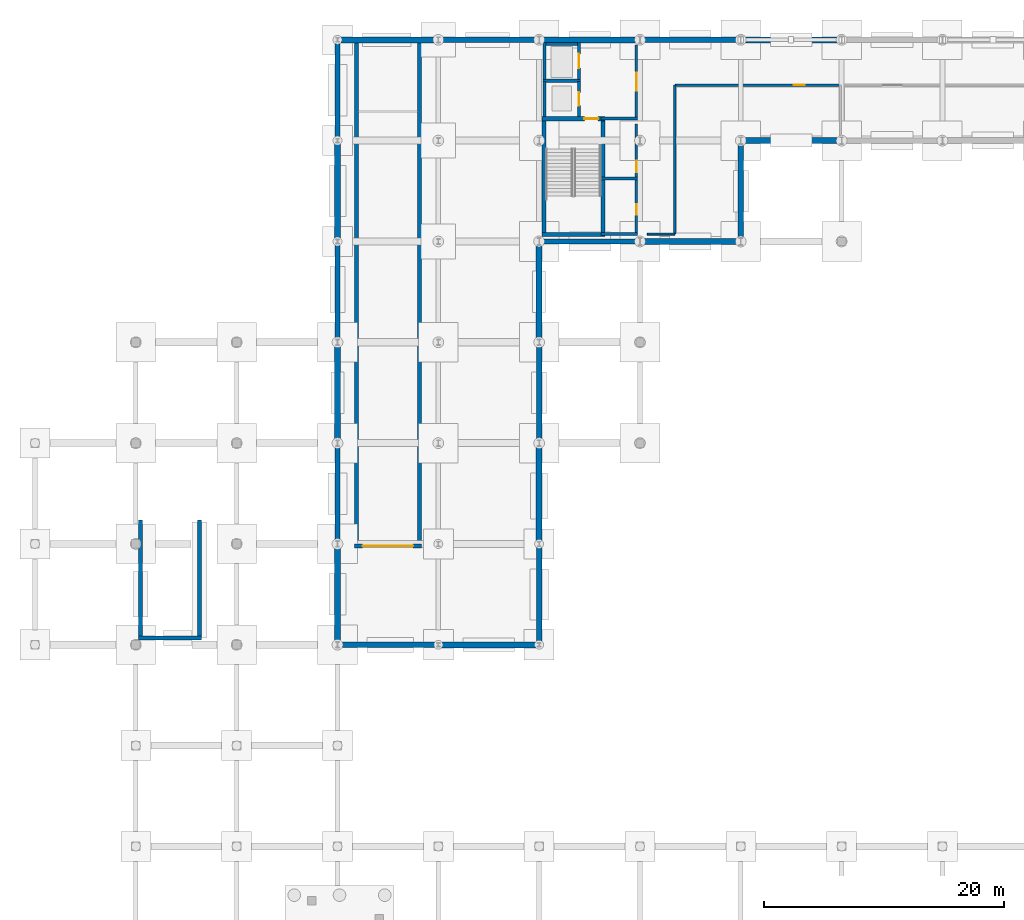
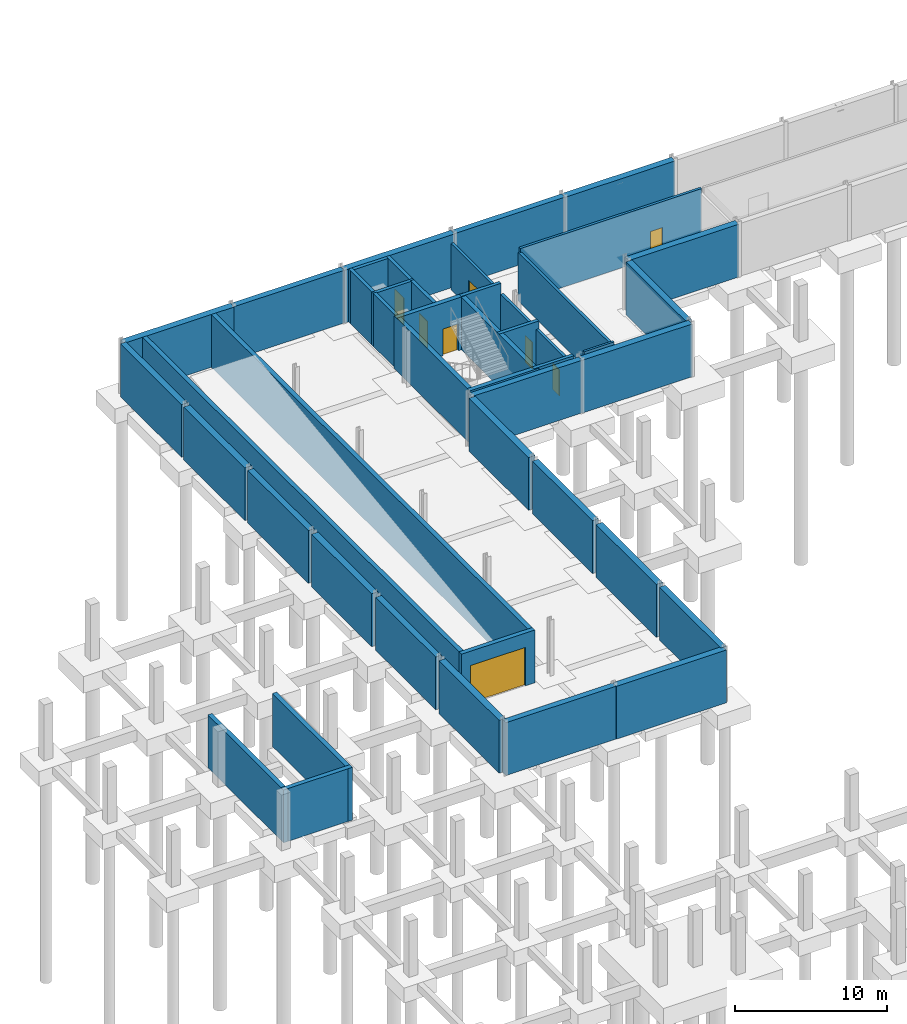
# One storey, part 28 of 43: 46 walls, 8 doors, 8 openings.
"""IFC4 building model written with IfcOpenShell, lengths in metres."""

from ifc_helpers import new_model, si_unit, direction, frame, frame_2d, origin, place, context, subcontext, project, spatial, rectangle, extrude, material, layer, layer_set, type_object, element, fill, save


model = new_model("IFC4")

# Units and contexts
model_context = context("Model", 3, precision=1e-05, world=origin(), true_north=direction((0.0, 1.0)))
body_context = subcontext(model_context, "Body", "Model", "MODEL_VIEW")
ifc_project = project(units=[si_unit("LENGTHUNIT", "METRE"), si_unit("AREAUNIT", "SQUARE_METRE"), si_unit("VOLUMEUNIT", "CUBIC_METRE"), si_unit("PLANEANGLEUNIT", "RADIAN"), si_unit("MASSUNIT", "GRAM", prefix="KILO")], contexts=[model_context])

# Site, building, storey
site_placement = place(None, origin())
site = spatial("IfcSite", under=ifc_project, at=site_placement, CompositionType="ELEMENT")
building_placement = place(site_placement, origin())
building = spatial("IfcBuilding", under=site, at=building_placement, Name="Mersafa Astral City Hall", CompositionType="ELEMENT")
storey_placement = place(building_placement, frame((0.0, 0.0, -4.5)))
storey = spatial("IfcBuildingStorey", under=building, at=storey_placement, Name="B1", CompositionType="ELEMENT", Elevation=-4.5)

# Walls
ifc_material_1 = material(Name="Concrete C40/50", Category="concrete")
ifc_layer_1 = layer(ifc_material_1, 0.449951171875, Name="Concrete C40/50")
ifc_layer_set_1 = layer_set([ifc_layer_1], Name="Concrete C40/50 — ENV-WAL-RET-450")
wall_type_1 = type_object("IfcWallType", Name="ENV-WAL-RET-450", PredefinedType="USERDEFINED", material=ifc_layer_set_1)
for number, where, z_axis, x_axis, name in (
    (1, (58.7919921875, 126.0, 0.0), (0.0, 0.0, 1.0), (-1.0, 0.0, 0.0), "B1 Perimeter retaining wall 53"),
    (2, (41.991943359375, 126.0, 0.0), (0.0, 0.0, 1.0), (-1.0, 0.0, 0.0), "B1 Perimeter retaining wall 55"),
):
    element("IfcWall", number, at=place(storey_placement, frame(where, z_axis=z_axis, x_axis=x_axis)), inside=storey, type_object=wall_type_1, Name=name, ObjectType="RETAININGWALL", PredefinedType="USERDEFINED", context=body_context, shape_type="SweptSolid", body=[
        extrude(rectangle(XDim=8.384033203125, YDim=0.449951171875, at=frame_2d((4.19189453125, 0.0))), origin(), (0.0, 0.0, 1.0), 4.25),
    ])
wall_1_placement = place(storey_placement, frame((25.199951171875, 125.8349609375, 0.0), z_axis=(0.0, 0.0, 1.0), x_axis=(0.0, -1.0, 0.0)))
element("IfcWall", 3, at=wall_1_placement, inside=storey, type_object=wall_type_1, Name="B1 Perimeter retaining wall 57", ObjectType="RETAININGWALL", PredefinedType="USERDEFINED", context=body_context, shape_type="SweptSolid", body=[
    extrude(rectangle(XDim=8.080078125, YDim=0.449951171875, at=frame_2d((4.0400390625, 0.0))), origin(), (0.0, 0.0, 1.0), 4.25),
])
wall_2_placement = place(storey_placement, frame((25.199951171875, 109.034912109375, 0.0), z_axis=(0.0, 0.0, 1.0), x_axis=(0.0, -1.0, 0.0)))
element("IfcWall", 4, at=wall_2_placement, inside=storey, type_object=wall_type_1, Name="B1 Perimeter retaining wall 59", ObjectType="RETAININGWALL", PredefinedType="USERDEFINED", context=body_context, shape_type="SweptSolid", body=[
    extrude(rectangle(XDim=8.0, YDim=0.449951171875, at=frame_2d((4.0, 0.0))), origin(), (0.0, 0.0, 1.0), 4.25),
])
wall_3_placement = place(storey_placement, frame((25.199951171875, 92.1650390625, 0.0), z_axis=(0.0, 0.0, 1.0), x_axis=(0.0, -1.0, 0.0)))
element("IfcWall", 5, at=wall_3_placement, inside=storey, type_object=wall_type_1, Name="B1 Perimeter retaining wall 61", ObjectType="RETAININGWALL", PredefinedType="USERDEFINED", context=body_context, shape_type="SweptSolid", body=[
    extrude(rectangle(XDim=7.929931640625, YDim=0.449951171875, at=frame_2d((3.96484375, 0.0))), origin(), (0.0, 0.0, 1.0), 4.25),
])
wall_4_placement = place(storey_placement, frame((25.2080078125, 75.60009765625, 0.0), z_axis=(0.0, 0.0, 1.0), x_axis=(1.0, 0.0, 0.0)))
element("IfcWall", 6, at=wall_4_placement, inside=storey, type_object=wall_type_1, Name="B1 Perimeter retaining wall 63", ObjectType="RETAININGWALL", PredefinedType="USERDEFINED", context=body_context, shape_type="SweptSolid", body=[
    extrude(rectangle(XDim=8.384033203125, YDim=0.449951171875, at=frame_2d((4.19189453125, 0.0))), origin(), (0.0, 0.0, 1.0), 4.25),
])
wall_5_placement = place(storey_placement, frame((42.0, 75.735107421875, 0.0), z_axis=(0.0, 0.0, 1.0), x_axis=(0.0, 1.0, 0.0)))
element("IfcWall", 7, at=wall_5_placement, inside=storey, type_object=wall_type_1, Name="B1 Perimeter retaining wall 65", ObjectType="RETAININGWALL", PredefinedType="USERDEFINED", context=body_context, shape_type="SweptSolid", body=[
    extrude(rectangle(XDim=8.079833984375, YDim=0.449951171875, at=frame_2d((4.0400390625, 0.0))), origin(), (0.0, 0.0, 1.0), 4.25),
])
wall_6_placement = place(storey_placement, frame((42.0, 92.635009765625, 0.0), z_axis=(0.0, 0.0, 1.0), x_axis=(0.0, 1.0, 0.0)))
element("IfcWall", 8, at=wall_6_placement, inside=storey, type_object=wall_type_1, Name="B1 Perimeter retaining wall 67", ObjectType="RETAININGWALL", PredefinedType="USERDEFINED", context=body_context, shape_type="SweptSolid", body=[
    extrude(rectangle(XDim=7.929931640625, YDim=0.449951171875, at=frame_2d((3.96484375, 0.0))), origin(), (0.0, 0.0, 1.0), 4.25),
])
wall_7_placement = place(storey_placement, frame((42.008056640625, 109.199951171875, 0.0), z_axis=(0.0, 0.0, 1.0), x_axis=(1.0, 0.0, 0.0)))
element("IfcWall", 9, at=wall_7_placement, inside=storey, type_object=wall_type_1, Name="B1 Perimeter retaining wall 69", ObjectType="RETAININGWALL", PredefinedType="USERDEFINED", context=body_context, shape_type="SweptSolid", body=[
    extrude(rectangle(XDim=8.384033203125, YDim=0.449951171875, at=frame_2d((4.19189453125, 0.0))), origin(), (0.0, 0.0, 1.0), 4.25),
])
wall_8_placement = place(storey_placement, frame((58.800048828125, 109.485107421875, 0.0), z_axis=(0.0, 0.0, 1.0), x_axis=(0.0, 1.0, 0.0)))
element("IfcWall", 10, at=wall_8_placement, inside=storey, type_object=wall_type_1, Name="B1 Perimeter retaining wall 71", ObjectType="RETAININGWALL", PredefinedType="USERDEFINED", context=body_context, shape_type="SweptSolid", body=[
    extrude(rectangle(XDim=7.829833984375, YDim=0.449951171875, at=frame_2d((3.9150390625, 0.0))), origin(), (0.0, 0.0, 1.0), 4.25),
])
ifc_layer_2 = layer(ifc_material_1, 0.5, Name="Concrete C40/50")
ifc_layer_set_2 = layer_set([ifc_layer_2], Name="Concrete C40/50 — ENV-WAL-RET-500")
wall_type_2 = type_object("IfcWallType", Name="ENV-WAL-RET-500", PredefinedType="USERDEFINED", material=ifc_layer_set_2)
wall_9_placement = place(storey_placement, frame((67.19189453125, 126.0, 0.0), z_axis=(0.0, 0.0, 1.0), x_axis=(-1.0, 0.0, 0.0)))
element("IfcWall", 11, at=wall_9_placement, inside=storey, type_object=wall_type_2, Name="B1 Perimeter retaining wall 52", ObjectType="RETAININGWALL", PredefinedType="USERDEFINED", context=body_context, shape_type="SweptSolid", body=[
    extrude(rectangle(XDim=8.3837890625, YDim=0.5, at=frame_2d((4.19189453125, 0.0))), origin(), (0.0, 0.0, 1.0), 4.25),
])
wall_10_placement = place(storey_placement, frame((25.199951171875, 117.445068359375, 0.0), z_axis=(0.0, 0.0, 1.0), x_axis=(0.0, -1.0, 0.0)))
element("IfcWall", 12, at=wall_10_placement, inside=storey, type_object=wall_type_2, Name="B1 Perimeter retaining wall 58", ObjectType="RETAININGWALL", PredefinedType="USERDEFINED", context=body_context, shape_type="SweptSolid", body=[
    extrude(rectangle(XDim=8.080078125, YDim=0.5, at=frame_2d((4.0400390625, 0.0))), origin(), (0.0, 0.0, 1.0), 4.25),
])
for number, where, z_axis, x_axis, name in (
    (13, (25.199951171875, 100.56494140625, 0.0), (0.0, 0.0, 1.0), (0.0, -1.0, 0.0), "B1 Perimeter retaining wall 60"),
    (14, (25.199951171875, 83.764892578125, 0.0), (0.0, 0.0, 1.0), (0.0, -1.0, 0.0), "B1 Perimeter retaining wall 62"),
):
    element("IfcWall", number, at=place(storey_placement, frame(where, z_axis=z_axis, x_axis=x_axis)), inside=storey, type_object=wall_type_2, Name=name, ObjectType="RETAININGWALL", PredefinedType="USERDEFINED", context=body_context, shape_type="SweptSolid", body=[
        extrude(rectangle(XDim=7.929931640625, YDim=0.5, at=frame_2d((3.96484375, 0.0))), origin(), (0.0, 0.0, 1.0), 4.25),
    ])
wall_11_placement = place(storey_placement, frame((33.60791015625, 75.60009765625, 0.0), z_axis=(0.0, 0.0, 1.0), x_axis=(1.0, 0.0, 0.0)))
element("IfcWall", 15, at=wall_11_placement, inside=storey, type_object=wall_type_2, Name="B1 Perimeter retaining wall 64", ObjectType="RETAININGWALL", PredefinedType="USERDEFINED", context=body_context, shape_type="SweptSolid", body=[
    extrude(rectangle(XDim=8.384033203125, YDim=0.5, at=frame_2d((4.19189453125, 0.0))), origin(), (0.0, 0.0, 1.0), 4.25),
])
wall_12_placement = place(storey_placement, frame((42.0, 84.18505859375, 0.0), z_axis=(0.0, 0.0, 1.0), x_axis=(0.0, 1.0, 0.0)))
element("IfcWall", 16, at=wall_12_placement, inside=storey, type_object=wall_type_2, Name="B1 Perimeter retaining wall 66", ObjectType="RETAININGWALL", PredefinedType="USERDEFINED", context=body_context, shape_type="SweptSolid", body=[
    extrude(rectangle(XDim=7.97998046875, YDim=0.5, at=frame_2d((3.989990234375, 0.0))), origin(), (0.0, 0.0, 1.0), 4.25),
])
wall_13_placement = place(storey_placement, frame((42.0, 101.034912109375, 0.0), z_axis=(0.0, 0.0, 1.0), x_axis=(0.0, 1.0, 0.0)))
element("IfcWall", 17, at=wall_13_placement, inside=storey, type_object=wall_type_2, Name="B1 Perimeter retaining wall 68", ObjectType="RETAININGWALL", PredefinedType="USERDEFINED", context=body_context, shape_type="SweptSolid", body=[
    extrude(rectangle(XDim=7.880126953125, YDim=0.5, at=frame_2d((3.93994140625, 0.0))), origin(), (0.0, 0.0, 1.0), 4.25),
])
wall_14_placement = place(storey_placement, frame((50.407958984375, 109.199951171875, 0.0), z_axis=(0.0, 0.0, 1.0), x_axis=(1.0, 0.0, 0.0)))
element("IfcWall", 18, at=wall_14_placement, inside=storey, type_object=wall_type_2, Name="B1 Perimeter retaining wall 70", ObjectType="RETAININGWALL", PredefinedType="USERDEFINED", context=body_context, shape_type="SweptSolid", body=[
    extrude(rectangle(XDim=8.384033203125, YDim=0.5, at=frame_2d((4.19189453125, 0.0))), origin(), (0.0, 0.0, 1.0), 4.25),
])
wall_15_placement = place(storey_placement, frame((58.80810546875, 117.60009765625, 0.0), z_axis=(0.0, 0.0, 1.0), x_axis=(1.0, 0.0, 0.0)))
element("IfcWall", 19, at=wall_15_placement, inside=storey, type_object=wall_type_2, Name="B1 Perimeter retaining wall 72", ObjectType="RETAININGWALL", PredefinedType="USERDEFINED", context=body_context, shape_type="SweptSolid", body=[
    extrude(rectangle(XDim=8.3837890625, YDim=0.5, at=frame_2d((4.19189453125, 0.0))), origin(), (0.0, 0.0, 1.0), 4.25),
])
for number, where, z_axis, x_axis, name in (
    (20, (50.39208984375, 126.0, 0.0), (0.0, 0.0, 1.0), (-1.0, 0.0, 0.0), "B1 Perimeter retaining wall 54"),
    (21, (33.592041015625, 126.0, 0.0), (0.0, 0.0, 1.0), (-1.0, 0.0, 0.0), "B1 Perimeter retaining wall 56"),
):
    element("IfcWall", number, at=place(storey_placement, frame(where, z_axis=z_axis, x_axis=x_axis)), inside=storey, type_object=wall_type_2, Name=name, ObjectType="RETAININGWALL", PredefinedType="USERDEFINED", context=body_context, shape_type="SweptSolid", body=[
        extrude(rectangle(XDim=8.384033203125, YDim=0.5, at=frame_2d((4.19189453125, 0.0))), origin(), (0.0, 0.0, 1.0), 4.25),
    ])
ifc_layer_3 = layer(ifc_material_1, 0.260009765625, Name="Concrete C40/50")
ifc_layer_set_3 = layer_set([ifc_layer_3], Name="Concrete C40/50 — INT-WAL-CORE-260")
wall_type_3 = type_object("IfcWallType", Name="INT-WAL-CORE-260", PredefinedType="SHEAR", material=ifc_layer_set_3)
wall_16_placement = place(storey_placement, frame((42.31494140625, 122.5849609375, 0.0), z_axis=(0.0, 0.0, 1.0), x_axis=(1.0, 0.0, 0.0)))
element("IfcWall", 22, at=wall_16_placement, inside=storey, type_object=wall_type_3, Name="B1 Lift LF5 north shaft wall", PredefinedType="SHEAR", context=body_context, shape_type="SweptSolid", body=[
    extrude(rectangle(XDim=3.130126953125, YDim=0.260009765625, at=frame_2d((1.56494140625, 0.0))), origin(), (0.0, 0.0, 1.0), 4.25),
])
wall_17_placement = place(storey_placement, frame((42.445068359375, 119.596923828125, 0.0), z_axis=(0.0, 0.0, 1.0), x_axis=(0.0, 1.0, 0.0)))
element("IfcWall", 23, at=wall_17_placement, inside=storey, type_object=wall_type_3, Name="B1 Lift LF5 back shaft wall", PredefinedType="SHEAR", context=body_context, shape_type="SweptSolid", body=[
    extrude(rectangle(XDim=2.947998046875, YDim=0.260009765625, at=frame_2d((1.47412109375, 0.0))), origin(), (0.0, 0.0, 1.0), 4.25),
])

# Wall, opening, door
wall_18_placement = place(storey_placement, frame((45.31494140625, 119.596923828125, 0.0), z_axis=(0.0, 0.0, 1.0), x_axis=(0.0, 1.0, 0.0)))
wall_18 = element("IfcWall", 24, at=wall_18_placement, inside=storey, type_object=wall_type_3, Name="B1 Lift LF5 front shaft wall", PredefinedType="SHEAR", context=body_context, shape_type="SweptSolid", body=[
    extrude(rectangle(XDim=2.947998046875, YDim=0.260009765625, at=frame_2d((1.47412109375, 0.0))), origin(), (0.0, 0.0, 1.0), 4.25),
])
opening_1_placement = place(wall_18_placement, frame((0.924072265625, 0.0, 0.0)))
opening_1 = element("IfcOpeningElement", 25, at=opening_1_placement, cuts=wall_18, Name="Opening LD-1", PredefinedType="OPENING", context=body_context, shape_type="SweptSolid", body=[
    extrude(rectangle(XDim=1.10009765625, YDim=2.14990234375, at=frame_2d((0.550048828125, 1.074951171875))), frame((0.0, 0.139892578125, 0.0), z_axis=(0.0, -1.0, 0.0), x_axis=(1.0, 0.0, 0.0)), (0.0, 0.0, 1.0), 0.280029296875),
])
ifc_material_2 = material(Name="Stainless steel sliding lift landing door", Category="steel")
door_type_1 = type_object("IfcDoorType", Name="INT-DR-LIFT-LD1", OperationType="NOTDEFINED", PredefinedType="DOOR", material=ifc_material_2)
door_1_placement = place(opening_1_placement, origin())
door_1 = element("IfcDoor", 26, at=door_1_placement, inside=storey, type_object=door_type_1, Name="Elevator LF5 Sliding Landing Door B1", OperationType="DOUBLE_DOOR_SLIDING", OverallHeight=2.14990234375, OverallWidth=1.10009765625, PredefinedType="DOOR", context=body_context, shape_type="SweptSolid", body=[
    extrude(rectangle(XDim=1.10009765625, YDim=2.14990234375, at=frame_2d((0.550048828125, 1.074951171875))), frame((0.0, 0.02490234375, 0.0), z_axis=(0.0, -1.0, 0.0), x_axis=(1.0, 0.0, 0.0)), (0.0, 0.0, 1.0), 0.050048828125),
])
fill(opening_1, door_1)

# Walls
wall_19_placement = place(storey_placement, frame((42.31494140625, 125.635009765625, 0.0), z_axis=(0.0, 0.0, 1.0), x_axis=(1.0, 0.0, 0.0)))
element("IfcWall", 27, at=wall_19_placement, inside=storey, type_object=wall_type_3, Name="B1 Lift LF9 north shaft wall", PredefinedType="SHEAR", context=body_context, shape_type="SweptSolid", body=[
    extrude(rectangle(XDim=3.130126953125, YDim=0.260009765625, at=frame_2d((1.56494140625, 0.0))), origin(), (0.0, 0.0, 1.0), 4.25),
])
wall_20_placement = place(storey_placement, frame((42.445068359375, 122.705078125, 0.0), z_axis=(0.0, 0.0, 1.0), x_axis=(0.0, 1.0, 0.0)))
element("IfcWall", 28, at=wall_20_placement, inside=storey, type_object=wall_type_3, Name="B1 Lift LF9 back shaft wall", PredefinedType="SHEAR", context=body_context, shape_type="SweptSolid", body=[
    extrude(rectangle(XDim=3.059814453125, YDim=0.260009765625, at=frame_2d((1.52978515625, 0.0))), origin(), (0.0, 0.0, 1.0), 4.25),
])

# Wall, opening, door
wall_21_placement = place(storey_placement, frame((45.31494140625, 122.705078125, 0.0), z_axis=(0.0, 0.0, 1.0), x_axis=(0.0, 1.0, 0.0)))
wall_21 = element("IfcWall", 29, at=wall_21_placement, inside=storey, type_object=wall_type_3, Name="B1 Lift LF9 front shaft wall", PredefinedType="SHEAR", context=body_context, shape_type="SweptSolid", body=[
    extrude(rectangle(XDim=3.059814453125, YDim=0.260009765625, at=frame_2d((1.52978515625, 0.0))), origin(), (0.0, 0.0, 1.0), 4.25),
])
opening_2_placement = place(wall_21_placement, frame((0.929931640625, 0.0, 0.0)))
opening_2 = element("IfcOpeningElement", 30, at=opening_2_placement, cuts=wall_21, Name="Opening LD-2", PredefinedType="OPENING", context=body_context, shape_type="SweptSolid", body=[
    extrude(rectangle(XDim=1.199951171875, YDim=2.14990234375, at=frame_2d((0.60009765625, 1.074951171875))), frame((0.0, 0.139892578125, 0.0), z_axis=(0.0, -1.0, 0.0), x_axis=(1.0, 0.0, 0.0)), (0.0, 0.0, 1.0), 0.280029296875),
])
ifc_material_3 = material(Name="Heavy-duty sliding goods lift landing door", Category="metal")
door_type_2 = type_object("IfcDoorType", Name="INT-DR-LIFT-LD2", OperationType="NOTDEFINED", PredefinedType="DOOR", material=ifc_material_3)
door_2_placement = place(opening_2_placement, origin())
door_2 = element("IfcDoor", 31, at=door_2_placement, inside=storey, type_object=door_type_2, Name="Elevator LF9 Sliding Landing Door B1", OperationType="DOUBLE_DOOR_SLIDING", OverallHeight=2.14990234375, OverallWidth=1.199951171875, PredefinedType="DOOR", context=body_context, shape_type="SweptSolid", body=[
    extrude(rectangle(XDim=1.199951171875, YDim=2.14990234375, at=frame_2d((0.60009765625, 1.074951171875))), frame((0.0, 0.02490234375, 0.0), z_axis=(0.0, -1.0, 0.0), x_axis=(1.0, 0.0, 0.0)), (0.0, 0.0, 1.0), 0.050048828125),
])
fill(opening_2, door_2)

# Walls
for number, where, z_axis, x_axis, name in (
    (32, (47.1650390625, 109.820068359375, 0.0), (0.0, 0.0, 1.0), (1.0, 0.0, 0.0), "B1 Core K3 riser south wall"),
    (33, (47.1650390625, 114.43505859375, 0.0), (0.0, 0.0, 1.0), (1.0, 0.0, 0.0), "B1 Core K3 riser-restroom divider wall"),
    (34, (47.1650390625, 119.43505859375, 0.0), (0.0, 0.0, 1.0), (1.0, 0.0, 0.0), "B1 Core K3 restroom-lobby divider wall"),
):
    element("IfcWall", number, at=place(storey_placement, frame(where, z_axis=z_axis, x_axis=x_axis)), inside=storey, type_object=wall_type_3, Name=name, PredefinedType="SHEAR", context=body_context, shape_type="SweptSolid", body=[
        extrude(rectangle(XDim=3.034912109375, YDim=0.260009765625, at=frame_2d((1.517578125, 0.0))), origin(), (0.0, 0.0, 1.0), 4.25),
    ])
ifc_layer_4 = layer(ifc_material_1, 0.340087890625, Name="Concrete C40/50")
ifc_layer_set_4 = layer_set([ifc_layer_4], Name="Concrete C40/50 — INT-WAL-CORE-340")
wall_type_4 = type_object("IfcWallType", Name="INT-WAL-CORE-340", PredefinedType="SHEAR", material=ifc_layer_set_4)
for number, where, z_axis, x_axis, name in (
    (35, (42.405029296875, 109.60498046875, 0.0), (0.0, 0.0, 1.0), (0.0, 1.0, 0.0), "B1 Core K3 stair west shear wall"),
    (36, (47.31494140625, 109.60498046875, 0.0), (0.0, 0.0, 1.0), (0.0, 1.0, 0.0), "B1 Core K3 stair east shear wall"),
):
    element("IfcWall", number, at=place(storey_placement, frame(where, z_axis=z_axis, x_axis=x_axis)), inside=storey, type_object=wall_type_4, Name=name, PredefinedType="SHEAR", context=body_context, shape_type="SweptSolid", body=[
        extrude(rectangle(XDim=9.989990234375, YDim=0.340087890625, at=frame_2d((4.9951171875, 0.0))), origin(), (0.0, 0.0, 1.0), 4.25),
    ])
wall_22_placement = place(storey_placement, frame((42.235107421875, 109.77490234375, 0.0), z_axis=(0.0, 0.0, 1.0), x_axis=(1.0, 0.0, 0.0)))
element("IfcWall", 37, at=wall_22_placement, inside=storey, type_object=wall_type_4, Name="B1 Core K3 stair south shear wall", PredefinedType="SHEAR", context=body_context, shape_type="SweptSolid", body=[
    extrude(rectangle(XDim=5.25, YDim=0.340087890625, at=frame_2d((2.625, 0.0))), origin(), (0.0, 0.0, 1.0), 4.25),
])

# Wall, opening, door
wall_23_placement = place(storey_placement, frame((42.235107421875, 119.425048828125, 0.0), z_axis=(0.0, 0.0, 1.0), x_axis=(1.0, 0.0, 0.0)))
wall_23 = element("IfcWall", 38, at=wall_23_placement, inside=storey, type_object=wall_type_4, Name="B1 Core K3 stair-lobby fire wall", PredefinedType="SHEAR", context=body_context, shape_type="SweptSolid", body=[
    extrude(rectangle(XDim=5.25, YDim=0.340087890625, at=frame_2d((2.625, 0.0))), origin(), (0.0, 0.0, 1.0), 4.25),
])
opening_3_placement = place(wall_23_placement, frame((3.534912109375, 0.0, 0.0)))
opening_3 = element("IfcOpeningElement", 39, at=opening_3_placement, cuts=wall_23, Name="Opening CD-1", PredefinedType="OPENING", context=body_context, shape_type="SweptSolid", body=[
    extrude(rectangle(XDim=1.14990234375, YDim=2.14990234375, at=frame_2d((0.574951171875, 1.074951171875))), frame((0.0, 0.179931640625, 0.0), z_axis=(0.0, -1.0, 0.0), x_axis=(1.0, 0.0, 0.0)), (0.0, 0.0, 1.0), 0.360107421875),
])
ifc_material_4 = material(Name="Fire-rated steel stair door", Category="steel")
door_type_3 = type_object("IfcDoorType", Name="INT-DR-STAIR-FD90-1150", OperationType="NOTDEFINED", PredefinedType="DOOR", material=ifc_material_4)
door_3_placement = place(opening_3_placement, origin())
door_3 = element("IfcDoor", 40, at=door_3_placement, inside=storey, type_object=door_type_3, Name="B1 Protected Stair ST3 Door", OperationType="SINGLE_SWING_LEFT", OverallHeight=2.14990234375, OverallWidth=1.14990234375, PredefinedType="DOOR", context=body_context, shape_type="SweptSolid", body=[
    extrude(rectangle(XDim=1.14990234375, YDim=2.14990234375, at=frame_2d((0.574951171875, 1.074951171875))), frame((0.0, 0.02490234375, 0.0), z_axis=(0.0, -1.0, 0.0), x_axis=(1.0, 0.0, 0.0)), (0.0, 0.0, 1.0), 0.050048828125),
])
fill(opening_3, door_3)

# Walls
wall_24_placement = place(storey_placement, frame((8.635009765625, 76.175048828125, 0.0), z_axis=(0.0, 0.0, 1.0), x_axis=(1.0, 0.0, 0.0)))
element("IfcWall", 41, at=wall_24_placement, inside=storey, type_object=wall_type_4, Name="B1 Stair shaft K6 foundation shear wall S", PredefinedType="SHEAR", context=body_context, shape_type="SweptSolid", body=[
    extrude(rectangle(XDim=5.25, YDim=0.340087890625, at=frame_2d((2.625, 0.0))), origin(), (0.0, 0.0, 1.0), 4.25),
])
for number, where, z_axis, x_axis, name in (
    (42, (13.715087890625, 76.0048828125, 0.0), (0.0, 0.0, 1.0), (0.0, 1.0, 0.0), "B1 Stair shaft K6 foundation shear wall E"),
    (43, (8.804931640625, 76.0048828125, 0.0), (0.0, 0.0, 1.0), (0.0, 1.0, 0.0), "B1 Stair shaft K6 foundation shear wall W"),
):
    element("IfcWall", number, at=place(storey_placement, frame(where, z_axis=z_axis, x_axis=x_axis)), inside=storey, type_object=wall_type_4, Name=name, PredefinedType="SHEAR", context=body_context, shape_type="SweptSolid", body=[
        extrude(rectangle(XDim=9.990234375, YDim=0.340087890625, at=frame_2d((4.9951171875, 0.0))), origin(), (0.0, 0.0, 1.0), 4.25),
    ])
for number, where, z_axis, x_axis, name in (
    (44, (26.77490234375, 83.659912109375, 0.0), (0.0, 0.0, 1.0), (0.0, 1.0, 0.0), "B1 Service ramp W enclosure shear wall"),
    (45, (32.02490234375, 83.659912109375, 0.0), (0.0, 0.0, 1.0), (0.0, 1.0, 0.0), "B1 Service ramp E enclosure shear wall"),
):
    element("IfcWall", number, at=place(storey_placement, frame(where, z_axis=z_axis, x_axis=x_axis)), inside=storey, type_object=wall_type_4, Name=name, PredefinedType="SHEAR", context=body_context, shape_type="SweptSolid", body=[
        extrude(rectangle(XDim=42.190185546875, YDim=0.340087890625, at=frame_2d((21.09521484375, 0.0))), origin(), (0.0, 0.0, 1.0), 4.25),
    ])

# Wall, opening, door
wall_25_placement = place(storey_placement, frame((26.60498046875, 83.830078125, 0.0), z_axis=(0.0, 0.0, 1.0), x_axis=(1.0, 0.0, 0.0)))
wall_25 = element("IfcWall", 46, at=wall_25_placement, inside=storey, type_object=wall_type_4, Name="B1 Service ramp arrival fire wall", PredefinedType="SHEAR", context=body_context, shape_type="SweptSolid", body=[
    extrude(rectangle(XDim=5.590087890625, YDim=0.340087890625, at=frame_2d((2.794921875, 0.0))), origin(), (0.0, 0.0, 1.0), 4.25),
])
opening_4_placement = place(wall_25_placement, frame((0.695068359375, 0.0, 0.0)))
opening_4 = element("IfcOpeningElement", 47, at=opening_4_placement, cuts=wall_25, Name="Opening SG-1", PredefinedType="OPENING", context=body_context, shape_type="SweptSolid", body=[
    extrude(rectangle(XDim=4.199951171875, YDim=3.10009765625, at=frame_2d((2.10009765625, 1.550048828125))), frame((0.0, 0.179931640625, 0.0), z_axis=(0.0, -1.0, 0.0), x_axis=(1.0, 0.0, 0.0)), (0.0, 0.0, 1.0), 0.360107421875),
])
ifc_material_5 = material(Name="Basement fire-rated steel vehicle roller gate", Category="steel")
door_type_4 = type_object("IfcDoorType", Name="INT-GATE-B1-VR1", OperationType="NOTDEFINED", PredefinedType="GATE", material=ifc_material_5)
door_4_placement = place(opening_4_placement, origin())
door_4 = element("IfcDoor", 48, at=door_4_placement, inside=storey, type_object=door_type_4, Name="B1 Service Ramp Fire-Rated Roller Gate", OperationType="ROLLINGUP", OverallHeight=3.10009765625, OverallWidth=4.199951171875, PredefinedType="GATE", context=body_context, shape_type="SweptSolid", body=[
    extrude(rectangle(XDim=4.199951171875, YDim=3.10009765625, at=frame_2d((2.10009765625, 1.550048828125))), frame((0.0, 0.02490234375, 0.0), z_axis=(0.0, -1.0, 0.0), x_axis=(1.0, 0.0, 0.0)), (0.0, 0.0, 1.0), 0.050048828125),
])
fill(opening_4, door_4)

# Wall
ifc_material_6 = material(Name="Fire-rated gypsum stud partition", Category="gypsum")
ifc_layer_5 = layer(ifc_material_6, 0.1650390625, Name="Fire-rated gypsum stud partition")
ifc_layer_set_5 = layer_set([ifc_layer_5], Name="Fire-rated gypsum stud partition — INT-WAL-PART-EI60-165")
wall_type_5 = type_object("IfcWallType", Name="INT-WAL-PART-EI60-165", PredefinedType="STANDARD", material=ifc_layer_set_5)
wall_26_placement = place(storey_placement, frame((51.02001953125, 109.820068359375, -0.00390625), z_axis=(0.0, 0.0, 1.0), x_axis=(1.0, 0.0, 0.0)))
element("IfcWall", 49, at=wall_26_placement, inside=storey, type_object=wall_type_5, Name="B1 Interior partition wall 55", PredefinedType="STANDARD", context=body_context, shape_type="SweptSolid", body=[
    extrude(rectangle(XDim=2.280029296875, YDim=0.1650390625, at=frame_2d((1.14013671875, 0.0))), origin(), (0.0, 0.0, 1.0), 4.25390625),
])

# Wall, opening, door
ifc_material_7 = material(Name="Acoustic twin-stud gypsum partition", Category="gypsum")
ifc_layer_6 = layer(ifc_material_7, 0.195068359375, Name="Acoustic twin-stud gypsum partition")
ifc_layer_set_6 = layer_set([ifc_layer_6], Name="Acoustic twin-stud gypsum partition — INT-WAL-PART-EI60-195")
wall_type_6 = type_object("IfcWallType", Name="INT-WAL-PART-EI60-195", PredefinedType="STANDARD", material=ifc_layer_set_6)
wall_27_placement = place(storey_placement, frame((53.300048828125, 122.219970703125, -0.00390625), z_axis=(0.0, 0.0, 1.0), x_axis=(1.0, 0.0, 0.0)))
wall_27 = element("IfcWall", 50, at=wall_27_placement, inside=storey, type_object=wall_type_6, Name="B1 Interior partition wall 57", PredefinedType="STANDARD", context=body_context, shape_type="SweptSolid", body=[
    extrude(rectangle(XDim=13.81005859375, YDim=0.195068359375, at=frame_2d((6.905029296875, 0.0))), origin(), (0.0, 0.0, 1.0), 4.25390625),
])
opening_5_placement = place(wall_27_placement, frame((9.8974609375, 0.0, 0.014892578125)))
opening_5 = element("IfcOpeningElement", 51, at=opening_5_placement, cuts=wall_27, Name="Opening D-10", PredefinedType="OPENING", context=body_context, shape_type="SweptSolid", body=[
    extrude(rectangle(XDim=0.919921875, YDim=2.139892578125, at=frame_2d((0.4599609375, 1.06982421875))), frame((0.0, 0.107421875, 0.0), z_axis=(0.0, -1.0, 0.0), x_axis=(1.0, 0.0, 0.0)), (0.0, 0.0, 1.0), 0.215087890625),
])
ifc_material_8 = material(Name="Cedar veneered acoustic fire-rated timber door", Category="wood")
door_type_5 = type_object("IfcDoorType", Name="INT-DR-RM-D-10", OperationType="NOTDEFINED", PredefinedType="DOOR", material=ifc_material_8)
door_5_placement = place(opening_5_placement, origin())
door_5 = element("IfcDoor", 52, at=door_5_placement, inside=storey, type_object=door_type_5, Name="B1 Emergency Generator Room B1-09 Entrance Door", OperationType="SINGLE_SWING_RIGHT", OverallHeight=2.139892578125, OverallWidth=0.919921875, PredefinedType="DOOR", context=body_context, shape_type="SweptSolid", body=[
    extrude(rectangle(XDim=0.919921875, YDim=2.139892578125, at=frame_2d((0.4599609375, 1.06982421875))), frame((0.0, 0.02490234375, 0.0), z_axis=(0.0, -1.0, 0.0), x_axis=(1.0, 0.0, 0.0)), (0.0, 0.0, 1.0), 0.050048828125),
])
fill(opening_5, door_5)

ifc_material_9 = material(Name="Autoclaved aerated concrete blockwork plastered", Category="masonry")
ifc_layer_7 = layer(ifc_material_9, 0.2099609375, Name="Autoclaved aerated concrete blockwork plastered")
ifc_layer_set_7 = layer_set([ifc_layer_7], Name="Autoclaved aerated concrete blockwork plastered — INT-WAL-PART-EI60-210")
wall_type_7 = type_object("IfcWallType", Name="INT-WAL-PART-EI60-210", PredefinedType="STANDARD", material=ifc_layer_set_7)
wall_28_placement = place(storey_placement, frame((50.10009765625, 109.820068359375, 0.0), z_axis=(0.0, 0.0, 1.0), x_axis=(0.0, 1.0, 0.0)))
wall_28 = element("IfcWall", 53, at=wall_28_placement, inside=storey, type_object=wall_type_7, Name="B1 Core K3 riser corridor partition", PredefinedType="STANDARD", context=body_context, shape_type="SweptSolid", body=[
    extrude(rectangle(XDim=4.58984375, YDim=0.2099609375, at=frame_2d((2.294921875, 0.0))), origin(), (0.0, 0.0, 1.0), 3.632080078125),
])
opening_6_placement = place(wall_28_placement, frame((1.60009765625, 0.0, 0.0)))
opening_6 = element("IfcOpeningElement", 54, at=opening_6_placement, cuts=wall_28, Name="Opening CD-5", PredefinedType="OPENING", context=body_context, shape_type="SweptSolid", body=[
    extrude(rectangle(XDim=0.89990234375, YDim=2.10009765625, at=frame_2d((0.449951171875, 1.050048828125))), frame((0.0, 0.114990234375, 0.0), z_axis=(0.0, -1.0, 0.0), x_axis=(1.0, 0.0, 0.0)), (0.0, 0.0, 1.0), 0.22998046875),
])
ifc_material_10 = material(Name="Fire-rated steel riser access door", Category="steel")
door_type_6 = type_object("IfcDoorType", Name="INT-DR-RISER-FD60-900", OperationType="NOTDEFINED", PredefinedType="DOOR", material=ifc_material_10)
door_6_placement = place(opening_6_placement, origin())
door_6 = element("IfcDoor", 55, at=door_6_placement, inside=storey, type_object=door_type_6, Name="B1 K3 MEP Riser Access Door", OperationType="SINGLE_SWING_RIGHT", OverallHeight=2.10009765625, OverallWidth=0.89990234375, PredefinedType="DOOR", context=body_context, shape_type="SweptSolid", body=[
    extrude(rectangle(XDim=0.89990234375, YDim=2.10009765625, at=frame_2d((0.449951171875, 1.050048828125))), frame((0.0, 0.02490234375, 0.0), z_axis=(0.0, -1.0, 0.0), x_axis=(1.0, 0.0, 0.0)), (0.0, 0.0, 1.0), 0.050048828125),
])
fill(opening_6, door_6)

wall_29_placement = place(storey_placement, frame((50.10009765625, 114.52001953125, 0.0), z_axis=(0.0, 0.0, 1.0), x_axis=(0.0, 1.0, 0.0)))
wall_29 = element("IfcWall", 56, at=wall_29_placement, inside=storey, type_object=wall_type_7, Name="B1 Core K3 accessible WC corridor partition", PredefinedType="STANDARD", context=body_context, shape_type="SweptSolid", body=[
    extrude(rectangle(XDim=4.47998046875, YDim=0.2099609375, at=frame_2d((2.239990234375, 0.0))), origin(), (0.0, 0.0, 1.0), 3.632080078125),
])
opening_7_placement = place(wall_29_placement, frame((0.449951171875, 0.0, 0.0)))
opening_7 = element("IfcOpeningElement", 57, at=opening_7_placement, cuts=wall_29, Name="Opening CD-4", PredefinedType="OPENING", context=body_context, shape_type="SweptSolid", body=[
    extrude(rectangle(XDim=0.949951171875, YDim=2.14990234375, at=frame_2d((0.47509765625, 1.074951171875))), frame((0.0, 0.114990234375, 0.0), z_axis=(0.0, -1.0, 0.0), x_axis=(1.0, 0.0, 0.0)), (0.0, 0.0, 1.0), 0.22998046875),
])
ifc_material_11 = material(Name="Accessible timber acoustic WC door", Category="wood")
door_type_7 = type_object("IfcDoorType", Name="INT-DR-WC-FD30-950", OperationType="NOTDEFINED", PredefinedType="DOOR", material=ifc_material_11)
door_7_placement = place(opening_7_placement, origin())
door_7 = element("IfcDoor", 58, at=door_7_placement, inside=storey, type_object=door_type_7, Name="B1 K3 Accessible Restroom Door", OperationType="SINGLE_SWING_LEFT", OverallHeight=2.14990234375, OverallWidth=0.949951171875, PredefinedType="DOOR", context=body_context, shape_type="SweptSolid", body=[
    extrude(rectangle(XDim=0.949951171875, YDim=2.14990234375, at=frame_2d((0.47509765625, 1.074951171875))), frame((0.0, 0.02490234375, 0.0), z_axis=(0.0, -1.0, 0.0), x_axis=(1.0, 0.0, 0.0)), (0.0, 0.0, 1.0), 0.050048828125),
])
fill(opening_7, door_7)

wall_30_placement = place(storey_placement, frame((50.10009765625, 119.43994140625, 0.0), z_axis=(0.0, 0.0, 1.0), x_axis=(0.0, 1.0, 0.0)))
wall_30 = element("IfcWall", 59, at=wall_30_placement, inside=storey, type_object=wall_type_7, Name="B1 Core K3 lobby corridor partition", PredefinedType="STANDARD", context=body_context, shape_type="SweptSolid", body=[
    extrude(rectangle(XDim=6.1201171875, YDim=0.2099609375, at=frame_2d((3.06005859375, 0.0))), origin(), (0.0, 0.0, 1.0), 3.741943359375),
])
opening_8_placement = place(wall_30_placement, frame((2.31005859375, 0.0, 0.0)))
opening_8 = element("IfcOpeningElement", 60, at=opening_8_placement, cuts=wall_30, Name="Opening CD-3", PredefinedType="OPENING", context=body_context, shape_type="SweptSolid", body=[
    extrude(rectangle(XDim=1.5, YDim=2.199951171875, at=frame_2d((0.75, 1.10009765625))), frame((0.0, 0.114990234375, 0.0), z_axis=(0.0, -1.0, 0.0), x_axis=(1.0, 0.0, 0.0)), (0.0, 0.0, 1.0), 0.22998046875),
])
ifc_material_12 = material(Name="Fire-rated glazed lobby door pair", Category="metal")
door_type_8 = type_object("IfcDoorType", Name="INT-DR-LOBBY-FD90-1500", OperationType="NOTDEFINED", PredefinedType="DOOR", material=ifc_material_12)
door_8_placement = place(opening_8_placement, origin())
door_8 = element("IfcDoor", 61, at=door_8_placement, inside=storey, type_object=door_type_8, Name="B1 K3 Lift Lobby Fire Door", OperationType="DOUBLE_DOOR_SINGLE_SWING", OverallHeight=2.199951171875, OverallWidth=1.5, PredefinedType="DOOR", context=body_context, shape_type="SweptSolid", body=[
    extrude(rectangle(XDim=1.5, YDim=2.199951171875, at=frame_2d((0.75, 1.10009765625))), frame((0.0, 0.02490234375, 0.0), z_axis=(0.0, -1.0, 0.0), x_axis=(1.0, 0.0, 0.0)), (0.0, 0.0, 1.0), 0.050048828125),
])
fill(opening_8, door_8)

# Wall
wall_31_placement = place(storey_placement, frame((53.300048828125, 109.820068359375, -0.00390625), z_axis=(0.0, 0.0, 1.0), x_axis=(0.0, 1.0, 0.0)))
element("IfcWall", 62, at=wall_31_placement, inside=storey, type_object=wall_type_7, Name="B1 Interior partition wall 56", PredefinedType="STANDARD", context=body_context, shape_type="SweptSolid", body=[
    extrude(rectangle(XDim=12.39990234375, YDim=0.2099609375, at=frame_2d((6.199951171875, 0.0))), origin(), (0.0, 0.0, 1.0), 3.935791015625),
])

save(model, "model.ifc")
